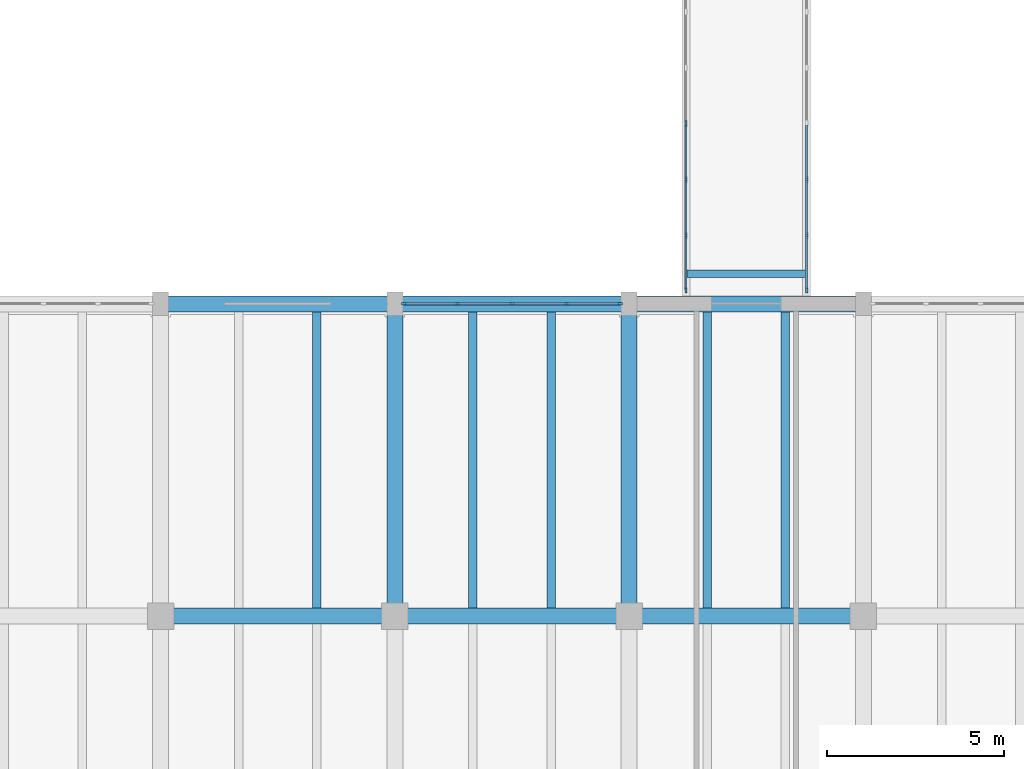
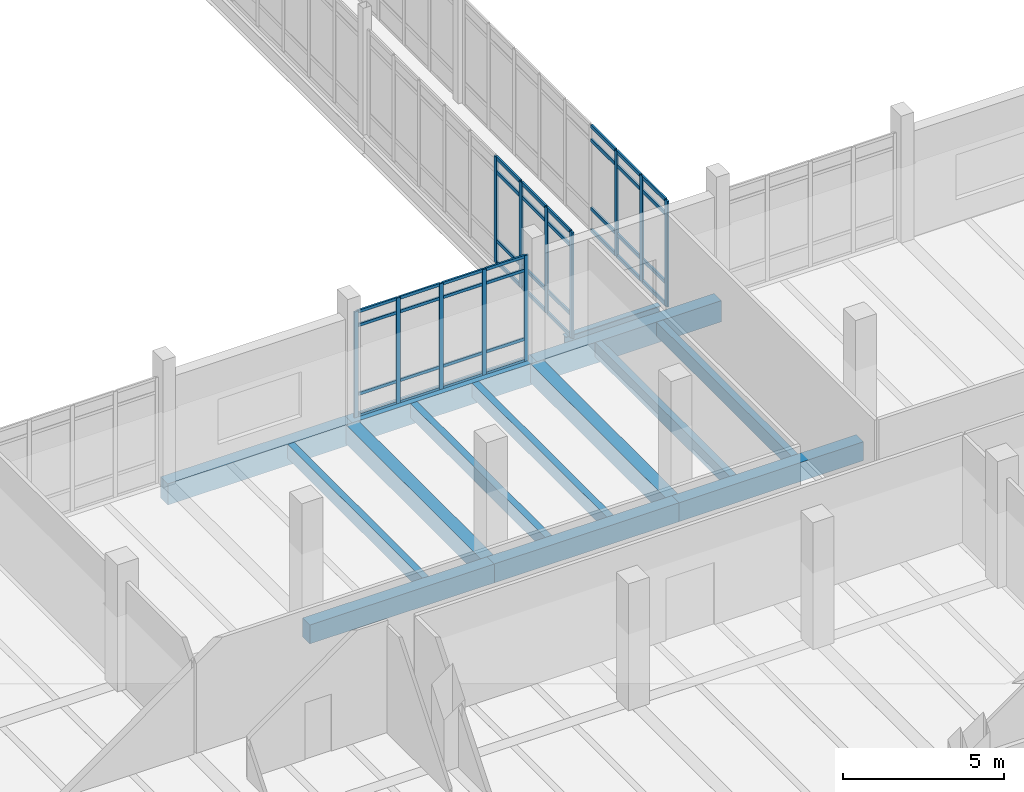
# One storey, part 48 of 125: 52 members, 14 beams, 3 elements without a shape of their own.
"""IFC4 building model written with IfcOpenShell, lengths in metres."""

from ifc_helpers import new_model, si_unit, direction, frame, origin, origin_2d, place, context, subcontext, project, spatial, rectangle, i_section, extrude, material, material_profile, profile_set, type_object, element, aggregate, save


model = new_model("IFC4")

# Units and contexts
model_context = context("Model", 3, precision=1e-05, world=origin(), true_north=direction((0.0, 1.0)))
body_context = subcontext(model_context, "Body", "Model", "MODEL_VIEW")
ifc_project = project(units=[si_unit("LENGTHUNIT", "METRE"), si_unit("AREAUNIT", "SQUARE_METRE"), si_unit("VOLUMEUNIT", "CUBIC_METRE"), si_unit("PLANEANGLEUNIT", "RADIAN"), si_unit("MASSUNIT", "GRAM", prefix="KILO")], contexts=[model_context])

# Site, building, storey
site_placement = place(None, origin())
site = spatial("IfcSite", under=ifc_project, at=site_placement, CompositionType="ELEMENT")
building_placement = place(site_placement, origin())
building = spatial("IfcBuilding", under=site, at=building_placement, Name="Dornvale Research Institute", CompositionType="ELEMENT")
storey_placement = place(building_placement, frame((0.0, 0.0, 5.39990234375)))
storey = spatial("IfcBuildingStorey", under=building, at=storey_placement, Name="L01", CompositionType="ELEMENT", Elevation=5.39990234375)

# Beams
ifc_material_1 = material(Name="Concrete f'c 45 MPa (C35/45)", Category="concrete")
ifc_material_profile_1 = material_profile(ifc_material_1, rectangle(XDim=0.449951171875, YDim=0.715087890625, at=origin_2d()), Name="RC 450x715")
ifc_profile_set_1 = profile_set([ifc_material_profile_1], Name="Concrete f'c 45 MPa (C35/45)")
beam_type_1 = type_object("IfcBeamType", Name="Beam_RC450x715_Lab", PredefinedType="BEAM", material=ifc_profile_set_1)
for number, where, z_axis, x_axis, name in (
    (1, (125.39990234375, 17.60009765625, -0.357421875), (1.0, 0.0, 0.0), (0.0, 1.0, 0.0), "L01 primary girder #445"),
    (2, (132.0, 17.60009765625, -0.357421875), (1.0, 0.0, 0.0), (0.0, 1.0, 0.0), "L01 primary girder #446"),
):
    element("IfcBeam", number, at=place(storey_placement, frame(where, z_axis=z_axis, x_axis=x_axis)), inside=storey, type_object=beam_type_1, Name=name, PredefinedType="BEAM", context=body_context, shape_type="SweptSolid", body=[
        extrude(rectangle(XDim=0.449951171875, YDim=0.715087890625, at=origin_2d()), origin(), (0.0, 0.0, 1.0), 6.60009765625),
    ])
beam_1_placement = place(storey_placement, frame((138.60009765625, 17.60009765625, -0.357421875), z_axis=(1.0, 0.0, 0.0), x_axis=(0.0, 1.0, 0.0)))
element("IfcBeam", 3, at=beam_1_placement, inside=storey, type_object=beam_type_1, Name="L01 primary girder #447", PredefinedType="BEAM", context=body_context, shape_type="SweptSolid", body=[
    extrude(rectangle(XDim=0.449951171875, YDim=0.715087890625, at=origin_2d()), origin(), (0.0, 0.0, 1.0), 6.599853515625),
])
for number, where, z_axis, x_axis, name in (
    (4, (132.0, 17.60009765625, -0.357421875), (0.0, 1.0, 0.0), (-1.0, 0.0, 0.0), "L01 transverse girder #481"),
    (5, (138.60009765625, 17.60009765625, -0.357421875), (0.0, 1.0, 0.0), (-1.0, 0.0, 0.0), "L01 transverse girder #484"),
):
    element("IfcBeam", number, at=place(storey_placement, frame(where, z_axis=z_axis, x_axis=x_axis)), inside=storey, type_object=beam_type_1, Name=name, PredefinedType="BEAM", context=body_context, shape_type="SweptSolid", body=[
        extrude(rectangle(XDim=0.449951171875, YDim=0.715087890625, at=origin_2d()), origin(), (0.0, 0.0, 1.0), 8.7998046875),
    ])
ifc_material_2 = material(Name="Steel ASTM A992 Grade 50", Category="steel")
ifc_material_profile_2 = material_profile(ifc_material_2, i_section(OverallWidth=0.2099609375, OverallDepth=0.535888671875, WebThickness=0.010986328125, FlangeThickness=0.017333984375, at=origin_2d()), Name="W21X68")
ifc_profile_set_2 = profile_set([ifc_material_profile_2], Name="Steel ASTM A992 Grade 50")
beam_type_2 = type_object("IfcBeamType", Name="Beam_Steel_W21X68", PredefinedType="BEAM", material=ifc_profile_set_2)
beam_2_placement = place(storey_placement, frame((140.199951171875, 27.25, -0.48779296875), z_axis=(1.0, 0.0, 0.0), x_axis=(0.0, 1.0, 0.0)))
element("IfcBeam", 6, at=beam_2_placement, inside=storey, type_object=beam_type_2, Name="L01 BR-7 south cross beam #2026", PredefinedType="BEAM", context=body_context, shape_type="SweptSolid", body=[
    extrude(i_section(OverallWidth=0.2099609375, OverallDepth=0.535888671875, WebThickness=0.010986328125, FlangeThickness=0.017333984375, at=origin_2d()), origin(), (0.0, 0.0, 1.0), 3.400146484375),
])
ifc_material_3 = material(Name="Concrete f'c 45 MPa (C35/45)", Category="concrete")
ifc_material_profile_3 = material_profile(ifc_material_3, rectangle(XDim=0.239990234375, YDim=0.534912109375, at=origin_2d()), Name="RC 240x535")
ifc_profile_set_3 = profile_set([ifc_material_profile_3], Name="Concrete f'c 45 MPa (C35/45)")
beam_type_3 = type_object("IfcBeamType", Name="Joist_RC240x535_Waffle", PredefinedType="JOIST", material=ifc_profile_set_3)
for number, where, z_axis, x_axis, name in (
    (7, (129.800048828125, 17.824951171875, -0.267333984375), (0.0, 1.0, 0.0), (-1.0, 0.0, 0.0), "L01 laboratory waffle joist #238"),
    (8, (134.199951171875, 17.824951171875, -0.267333984375), (0.0, 1.0, 0.0), (-1.0, 0.0, 0.0), "L01 laboratory waffle joist #243"),
    (9, (136.39990234375, 17.824951171875, -0.267333984375), (0.0, 1.0, 0.0), (-1.0, 0.0, 0.0), "L01 laboratory waffle joist #244"),
    (10, (140.800048828125, 17.824951171875, -0.267333984375), (0.0, 1.0, 0.0), (-1.0, 0.0, 0.0), "L01 laboratory waffle joist #249"),
    (11, (143.0, 17.824951171875, -0.267333984375), (0.0, 1.0, 0.0), (-1.0, 0.0, 0.0), "L01 laboratory waffle joist #250"),
):
    element("IfcBeam", number, at=place(storey_placement, frame(where, z_axis=z_axis, x_axis=x_axis)), inside=storey, type_object=beam_type_3, Name=name, PredefinedType="JOIST", context=body_context, shape_type="SweptSolid", body=[
        extrude(rectangle(XDim=0.239990234375, YDim=0.534912109375, at=origin_2d()), origin(), (0.0, 0.0, 1.0), 8.35009765625),
    ])

# Curtain wall, members
ifc_material_4 = material(Name="Low-E Argon Double Insulating Glazing Unit", Category="glass")
curtain_wall_type_1 = type_object("IfcCurtainWallType", Name="UnitisedCurtainWall_V2_12600x4000", PredefinedType="USERDEFINED", material=ifc_material_4)
curtain_wall_1_placement = place(storey_placement, origin())
curtain_wall_1 = element("IfcCurtainWall", 12, at=curtain_wall_1_placement, inside=storey, type_object=curtain_wall_type_1, Name="L01 V2 unitised curtain wall CW-41 #231", ObjectType="UNITISED CURTAIN WALL", PredefinedType="USERDEFINED")
ifc_material_5 = material(Name="Anodized Aluminum AA 6063-T6 Thermally Broken Frame", Category="aluminium")
ifc_material_profile_4 = material_profile(ifc_material_5, rectangle(XDim=0.06494140625, YDim=0.1650390625, at=origin_2d()), Name="ALU MULLION 65x165")
ifc_profile_set_4 = profile_set([ifc_material_profile_4], Name="Anodized Aluminum AA 6063-T6 Thermally Broken Frame")
member_type_1 = type_object("IfcMemberType", Name="Mullion_Atrium_65x165", PredefinedType="MULLION", material=ifc_profile_set_4)
member_1_placement = place(storey_placement, frame((140.199951171875, 26.782470703125, 0.0), z_axis=(0.0, 0.0, 1.0), x_axis=(-1.0, 0.0, 0.0)))
member_1 = element("IfcMember", 13, at=member_1_placement, type_object=member_type_1, Name="CW-41 mullion 1", PredefinedType="MULLION", context=body_context, shape_type="SweptSolid", body=[
    extrude(rectangle(XDim=0.06494140625, YDim=0.1650390625, at=origin_2d()), origin(), (0.0, 0.0, 1.0), 4.0),
])
member_2_placement = place(storey_placement, frame((140.199951171875, 28.324951171875, 0.0), z_axis=(0.0, 0.0, 1.0), x_axis=(-1.0, 0.0, 0.0)))
member_2 = element("IfcMember", 14, at=member_2_placement, type_object=member_type_1, Name="CW-41 mullion 2", PredefinedType="MULLION", context=body_context, shape_type="SweptSolid", body=[
    extrude(rectangle(XDim=0.06494140625, YDim=0.1650390625, at=origin_2d()), origin(), (0.0, 0.0, 1.0), 4.0),
])
member_3_placement = place(storey_placement, frame((140.199951171875, 29.89990234375, 0.0), z_axis=(0.0, 0.0, 1.0), x_axis=(-1.0, 0.0, 0.0)))
member_3 = element("IfcMember", 15, at=member_3_placement, type_object=member_type_1, Name="CW-41 mullion 3", PredefinedType="MULLION", context=body_context, shape_type="SweptSolid", body=[
    extrude(rectangle(XDim=0.06494140625, YDim=0.1650390625, at=origin_2d()), origin(), (0.0, 0.0, 1.0), 4.0),
])
member_4_placement = place(storey_placement, frame((140.199951171875, 31.47509765625, 0.0), z_axis=(0.0, 0.0, 1.0), x_axis=(-1.0, 0.0, 0.0)))
member_4 = element("IfcMember", 16, at=member_4_placement, type_object=member_type_1, Name="CW-41 mullion 4", PredefinedType="MULLION", context=body_context, shape_type="SweptSolid", body=[
    extrude(rectangle(XDim=0.06494140625, YDim=0.1650390625, at=origin_2d()), origin(), (0.0, 0.0, 1.0), 4.0),
])

curtain_wall_2_placement = place(storey_placement, origin())
curtain_wall_2 = element("IfcCurtainWall", 17, at=curtain_wall_2_placement, inside=storey, type_object=curtain_wall_type_1, Name="L01 V2 unitised curtain wall CW-41 #232", ObjectType="UNITISED CURTAIN WALL", PredefinedType="USERDEFINED")
member_5_placement = place(storey_placement, frame((143.60009765625, 29.89990234375, 0.0), z_axis=(0.0, 0.0, 1.0), x_axis=(1.0, 0.0, 0.0)))
member_5 = element("IfcMember", 18, at=member_5_placement, type_object=member_type_1, Name="CW-41 mullion 7", PredefinedType="MULLION", context=body_context, shape_type="SweptSolid", body=[
    extrude(rectangle(XDim=0.06494140625, YDim=0.1650390625, at=origin_2d()), origin(), (0.0, 0.0, 1.0), 4.0),
])
member_6_placement = place(storey_placement, frame((143.60009765625, 28.324951171875, 0.0), z_axis=(0.0, 0.0, 1.0), x_axis=(1.0, 0.0, 0.0)))
member_6 = element("IfcMember", 19, at=member_6_placement, type_object=member_type_1, Name="CW-41 mullion 8", PredefinedType="MULLION", context=body_context, shape_type="SweptSolid", body=[
    extrude(rectangle(XDim=0.06494140625, YDim=0.1650390625, at=origin_2d()), origin(), (0.0, 0.0, 1.0), 4.0),
])
member_7_placement = place(storey_placement, frame((143.60009765625, 26.782470703125, 0.0), z_axis=(0.0, 0.0, 1.0), x_axis=(1.0, 0.0, 0.0)))
member_7 = element("IfcMember", 20, at=member_7_placement, type_object=member_type_1, Name="CW-41 mullion 9", PredefinedType="MULLION", context=body_context, shape_type="SweptSolid", body=[
    extrude(rectangle(XDim=0.06494140625, YDim=0.1650390625, at=origin_2d()), origin(), (0.0, 0.0, 1.0), 4.0),
])

ifc_material_6 = material(Name="Low-E Argon Double Insulating Glazing Unit", Category="glass")
curtain_wall_type_2 = type_object("IfcCurtainWallType", Name="UnitisedCurtainWall_V3_6150x4000", PredefinedType="USERDEFINED", material=ifc_material_6)
curtain_wall_3_placement = place(storey_placement, origin())
curtain_wall_3 = element("IfcCurtainWall", 21, at=curtain_wall_3_placement, inside=storey, type_object=curtain_wall_type_2, Name="L01 V3 unitised curtain wall CW-06 #32", ObjectType="UNITISED CURTAIN WALL", PredefinedType="USERDEFINED")
ifc_material_7 = material(Name="Anodized Aluminum AA 6063-T6 Thermally Broken Frame", Category="aluminium")
ifc_material_profile_5 = material_profile(ifc_material_7, rectangle(XDim=0.06494140625, YDim=0.14990234375, at=origin_2d()), Name="ALU MULLION 65x150")
ifc_profile_set_5 = profile_set([ifc_material_profile_5], Name="Anodized Aluminum AA 6063-T6 Thermally Broken Frame")
member_type_2 = type_object("IfcMemberType", Name="Mullion_CW_65x150", PredefinedType="MULLION", material=ifc_profile_set_5)
member_8_placement = place(storey_placement, frame((132.257568359375, 26.39990234375, 0.0), z_axis=(0.0, 0.0, 1.0), x_axis=(0.0, 1.0, 0.0)))
member_8 = element("IfcMember", 22, at=member_8_placement, type_object=member_type_2, Name="CW-06 mullion 1", PredefinedType="MULLION", context=body_context, shape_type="SweptSolid", body=[
    extrude(rectangle(XDim=0.06494140625, YDim=0.14990234375, at=origin_2d()), origin(), (0.0, 0.0, 1.0), 4.0),
])
member_9_placement = place(storey_placement, frame((133.762451171875, 26.39990234375, 0.0), z_axis=(0.0, 0.0, 1.0), x_axis=(0.0, 1.0, 0.0)))
member_9 = element("IfcMember", 23, at=member_9_placement, type_object=member_type_2, Name="CW-06 mullion 2", PredefinedType="MULLION", context=body_context, shape_type="SweptSolid", body=[
    extrude(rectangle(XDim=0.06494140625, YDim=0.14990234375, at=origin_2d()), origin(), (0.0, 0.0, 1.0), 4.0),
])
member_10_placement = place(storey_placement, frame((135.300048828125, 26.39990234375, 0.0), z_axis=(0.0, 0.0, 1.0), x_axis=(0.0, 1.0, 0.0)))
member_10 = element("IfcMember", 24, at=member_10_placement, type_object=member_type_2, Name="CW-06 mullion 3", PredefinedType="MULLION", context=body_context, shape_type="SweptSolid", body=[
    extrude(rectangle(XDim=0.06494140625, YDim=0.14990234375, at=origin_2d()), origin(), (0.0, 0.0, 1.0), 4.0),
])
member_11_placement = place(storey_placement, frame((136.83740234375, 26.39990234375, 0.0), z_axis=(0.0, 0.0, 1.0), x_axis=(0.0, 1.0, 0.0)))
member_11 = element("IfcMember", 25, at=member_11_placement, type_object=member_type_2, Name="CW-06 mullion 4", PredefinedType="MULLION", context=body_context, shape_type="SweptSolid", body=[
    extrude(rectangle(XDim=0.06494140625, YDim=0.14990234375, at=origin_2d()), origin(), (0.0, 0.0, 1.0), 4.0),
])
member_12_placement = place(storey_placement, frame((138.342529296875, 26.39990234375, 0.0), z_axis=(0.0, 0.0, 1.0), x_axis=(0.0, 1.0, 0.0)))
member_12 = element("IfcMember", 26, at=member_12_placement, type_object=member_type_2, Name="CW-06 mullion 5", PredefinedType="MULLION", context=body_context, shape_type="SweptSolid", body=[
    extrude(rectangle(XDim=0.06494140625, YDim=0.14990234375, at=origin_2d()), origin(), (0.0, 0.0, 1.0), 4.0),
])

# Beams
ifc_material_8 = material(Name="Concrete f'c 45 MPa (C35/45)", Category="concrete")
ifc_material_profile_6 = material_profile(ifc_material_8, rectangle(XDim=0.449951171875, YDim=0.800048828125, at=origin_2d()), Name="RC 450x800")
ifc_profile_set_6 = profile_set([ifc_material_profile_6], Name="Concrete f'c 45 MPa (C35/45)")
beam_type_4 = type_object("IfcBeamType", Name="Spandrel_RC450x800_Ext", PredefinedType="SPANDREL", material=ifc_profile_set_6)
for number, where, z_axis, x_axis, name in (
    (27, (125.39990234375, 26.39990234375, -0.39990234375), (1.0, 0.0, 0.0), (0.0, 1.0, 0.0), "L01 perimeter spandrel #457"),
    (28, (132.0, 26.39990234375, -0.39990234375), (1.0, 0.0, 0.0), (0.0, 1.0, 0.0), "L01 perimeter spandrel #458"),
):
    element("IfcBeam", number, at=place(storey_placement, frame(where, z_axis=z_axis, x_axis=x_axis)), inside=storey, type_object=beam_type_4, Name=name, PredefinedType="SPANDREL", context=body_context, shape_type="SweptSolid", body=[
        extrude(rectangle(XDim=0.449951171875, YDim=0.800048828125, at=origin_2d()), origin(), (0.0, 0.0, 1.0), 6.60009765625),
    ])
beam_3_placement = place(storey_placement, frame((138.60009765625, 26.39990234375, -0.39990234375), z_axis=(1.0, 0.0, 0.0), x_axis=(0.0, 1.0, 0.0)))
element("IfcBeam", 29, at=beam_3_placement, inside=storey, type_object=beam_type_4, Name="L01 perimeter spandrel #459", PredefinedType="SPANDREL", context=body_context, shape_type="SweptSolid", body=[
    extrude(rectangle(XDim=0.449951171875, YDim=0.800048828125, at=origin_2d()), origin(), (0.0, 0.0, 1.0), 6.599853515625),
])

# Member
ifc_material_9 = material(Name="Anodized Aluminum AA 6063-T6 Thermally Broken Frame", Category="aluminium")
ifc_material_profile_7 = material_profile(ifc_material_9, rectangle(XDim=0.06494140625, YDim=0.110107421875, at=origin_2d()), Name="ALU TRANSOM 65x110")
ifc_profile_set_7 = profile_set([ifc_material_profile_7], Name="Anodized Aluminum AA 6063-T6 Thermally Broken Frame")
member_type_3 = type_object("IfcMemberType", Name="Transom_CW_65x110", PredefinedType="USERDEFINED", material=ifc_profile_set_7)
member_13_placement = place(storey_placement, frame((132.2900390625, 26.39990234375, 0.03271484375), z_axis=(1.0, 0.0, 0.0), x_axis=(0.0, 1.0, 0.0)))
member_13 = element("IfcMember", 30, at=member_13_placement, type_object=member_type_3, Name="CW-06 transom 1.1", ObjectType="TRANSOM", PredefinedType="USERDEFINED", context=body_context, shape_type="SweptSolid", body=[
    extrude(rectangle(XDim=0.06494140625, YDim=0.110107421875, at=origin_2d()), origin(), (0.0, 0.0, 1.0), 1.43994140625),
])

member_14_placement = place(storey_placement, frame((132.2900390625, 26.39990234375, 0.85009765625), z_axis=(1.0, 0.0, 0.0), x_axis=(0.0, 1.0, 0.0)))
member_14 = element("IfcMember", 31, at=member_14_placement, type_object=member_type_3, Name="CW-06 transom 1.2", ObjectType="TRANSOM", PredefinedType="USERDEFINED", context=body_context, shape_type="SweptSolid", body=[
    extrude(rectangle(XDim=0.06494140625, YDim=0.110107421875, at=origin_2d()), origin(), (0.0, 0.0, 1.0), 1.43994140625),
])

member_15_placement = place(storey_placement, frame((132.2900390625, 26.39990234375, 3.4501953125), z_axis=(1.0, 0.0, 0.0), x_axis=(0.0, 1.0, 0.0)))
member_15 = element("IfcMember", 32, at=member_15_placement, type_object=member_type_3, Name="CW-06 transom 1.3", ObjectType="TRANSOM", PredefinedType="USERDEFINED", context=body_context, shape_type="SweptSolid", body=[
    extrude(rectangle(XDim=0.06494140625, YDim=0.110107421875, at=origin_2d()), origin(), (0.0, 0.0, 1.0), 1.43994140625),
])

member_16_placement = place(storey_placement, frame((132.2900390625, 26.39990234375, 3.967529296875), z_axis=(1.0, 0.0, 0.0), x_axis=(0.0, 1.0, 0.0)))
member_16 = element("IfcMember", 33, at=member_16_placement, type_object=member_type_3, Name="CW-06 transom 1.4", ObjectType="TRANSOM", PredefinedType="USERDEFINED", context=body_context, shape_type="SweptSolid", body=[
    extrude(rectangle(XDim=0.06494140625, YDim=0.110107421875, at=origin_2d()), origin(), (0.0, 0.0, 1.0), 1.43994140625),
])

member_17_placement = place(storey_placement, frame((133.794921875, 26.39990234375, 0.03271484375), z_axis=(1.0, 0.0, 0.0), x_axis=(0.0, 1.0, 0.0)))
member_17 = element("IfcMember", 34, at=member_17_placement, type_object=member_type_3, Name="CW-06 transom 2.1", ObjectType="TRANSOM", PredefinedType="USERDEFINED", context=body_context, shape_type="SweptSolid", body=[
    extrude(rectangle(XDim=0.06494140625, YDim=0.110107421875, at=origin_2d()), origin(), (0.0, 0.0, 1.0), 1.47265625),
])

member_18_placement = place(storey_placement, frame((133.794921875, 26.39990234375, 0.85009765625), z_axis=(1.0, 0.0, 0.0), x_axis=(0.0, 1.0, 0.0)))
member_18 = element("IfcMember", 35, at=member_18_placement, type_object=member_type_3, Name="CW-06 transom 2.2", ObjectType="TRANSOM", PredefinedType="USERDEFINED", context=body_context, shape_type="SweptSolid", body=[
    extrude(rectangle(XDim=0.06494140625, YDim=0.110107421875, at=origin_2d()), origin(), (0.0, 0.0, 1.0), 1.47265625),
])

member_19_placement = place(storey_placement, frame((133.794921875, 26.39990234375, 3.4501953125), z_axis=(1.0, 0.0, 0.0), x_axis=(0.0, 1.0, 0.0)))
member_19 = element("IfcMember", 36, at=member_19_placement, type_object=member_type_3, Name="CW-06 transom 2.3", ObjectType="TRANSOM", PredefinedType="USERDEFINED", context=body_context, shape_type="SweptSolid", body=[
    extrude(rectangle(XDim=0.06494140625, YDim=0.110107421875, at=origin_2d()), origin(), (0.0, 0.0, 1.0), 1.47265625),
])

member_20_placement = place(storey_placement, frame((133.794921875, 26.39990234375, 3.967529296875), z_axis=(1.0, 0.0, 0.0), x_axis=(0.0, 1.0, 0.0)))
member_20 = element("IfcMember", 37, at=member_20_placement, type_object=member_type_3, Name="CW-06 transom 2.4", ObjectType="TRANSOM", PredefinedType="USERDEFINED", context=body_context, shape_type="SweptSolid", body=[
    extrude(rectangle(XDim=0.06494140625, YDim=0.110107421875, at=origin_2d()), origin(), (0.0, 0.0, 1.0), 1.47265625),
])

member_21_placement = place(storey_placement, frame((135.33251953125, 26.39990234375, 0.03271484375), z_axis=(1.0, 0.0, 0.0), x_axis=(0.0, 1.0, 0.0)))
member_21 = element("IfcMember", 38, at=member_21_placement, type_object=member_type_3, Name="CW-06 transom 3.1", ObjectType="TRANSOM", PredefinedType="USERDEFINED", context=body_context, shape_type="SweptSolid", body=[
    extrude(rectangle(XDim=0.06494140625, YDim=0.110107421875, at=origin_2d()), origin(), (0.0, 0.0, 1.0), 1.472412109375),
])

member_22_placement = place(storey_placement, frame((135.33251953125, 26.39990234375, 0.85009765625), z_axis=(1.0, 0.0, 0.0), x_axis=(0.0, 1.0, 0.0)))
member_22 = element("IfcMember", 39, at=member_22_placement, type_object=member_type_3, Name="CW-06 transom 3.2", ObjectType="TRANSOM", PredefinedType="USERDEFINED", context=body_context, shape_type="SweptSolid", body=[
    extrude(rectangle(XDim=0.06494140625, YDim=0.110107421875, at=origin_2d()), origin(), (0.0, 0.0, 1.0), 1.472412109375),
])

member_23_placement = place(storey_placement, frame((135.33251953125, 26.39990234375, 3.4501953125), z_axis=(1.0, 0.0, 0.0), x_axis=(0.0, 1.0, 0.0)))
member_23 = element("IfcMember", 40, at=member_23_placement, type_object=member_type_3, Name="CW-06 transom 3.3", ObjectType="TRANSOM", PredefinedType="USERDEFINED", context=body_context, shape_type="SweptSolid", body=[
    extrude(rectangle(XDim=0.06494140625, YDim=0.110107421875, at=origin_2d()), origin(), (0.0, 0.0, 1.0), 1.472412109375),
])

member_24_placement = place(storey_placement, frame((135.33251953125, 26.39990234375, 3.967529296875), z_axis=(1.0, 0.0, 0.0), x_axis=(0.0, 1.0, 0.0)))
member_24 = element("IfcMember", 41, at=member_24_placement, type_object=member_type_3, Name="CW-06 transom 3.4", ObjectType="TRANSOM", PredefinedType="USERDEFINED", context=body_context, shape_type="SweptSolid", body=[
    extrude(rectangle(XDim=0.06494140625, YDim=0.110107421875, at=origin_2d()), origin(), (0.0, 0.0, 1.0), 1.472412109375),
])

member_25_placement = place(storey_placement, frame((136.8701171875, 26.39990234375, 0.03271484375), z_axis=(1.0, 0.0, 0.0), x_axis=(0.0, 1.0, 0.0)))
member_25 = element("IfcMember", 42, at=member_25_placement, type_object=member_type_3, Name="CW-06 transom 4.1", ObjectType="TRANSOM", PredefinedType="USERDEFINED", context=body_context, shape_type="SweptSolid", body=[
    extrude(rectangle(XDim=0.06494140625, YDim=0.110107421875, at=origin_2d()), origin(), (0.0, 0.0, 1.0), 1.43994140625),
])

member_26_placement = place(storey_placement, frame((136.8701171875, 26.39990234375, 0.85009765625), z_axis=(1.0, 0.0, 0.0), x_axis=(0.0, 1.0, 0.0)))
member_26 = element("IfcMember", 43, at=member_26_placement, type_object=member_type_3, Name="CW-06 transom 4.2", ObjectType="TRANSOM", PredefinedType="USERDEFINED", context=body_context, shape_type="SweptSolid", body=[
    extrude(rectangle(XDim=0.06494140625, YDim=0.110107421875, at=origin_2d()), origin(), (0.0, 0.0, 1.0), 1.43994140625),
])

member_27_placement = place(storey_placement, frame((136.8701171875, 26.39990234375, 3.4501953125), z_axis=(1.0, 0.0, 0.0), x_axis=(0.0, 1.0, 0.0)))
member_27 = element("IfcMember", 44, at=member_27_placement, type_object=member_type_3, Name="CW-06 transom 4.3", ObjectType="TRANSOM", PredefinedType="USERDEFINED", context=body_context, shape_type="SweptSolid", body=[
    extrude(rectangle(XDim=0.06494140625, YDim=0.110107421875, at=origin_2d()), origin(), (0.0, 0.0, 1.0), 1.43994140625),
])

member_28_placement = place(storey_placement, frame((136.8701171875, 26.39990234375, 3.967529296875), z_axis=(1.0, 0.0, 0.0), x_axis=(0.0, 1.0, 0.0)))
member_28 = element("IfcMember", 45, at=member_28_placement, type_object=member_type_3, Name="CW-06 transom 4.4", ObjectType="TRANSOM", PredefinedType="USERDEFINED", context=body_context, shape_type="SweptSolid", body=[
    extrude(rectangle(XDim=0.06494140625, YDim=0.110107421875, at=origin_2d()), origin(), (0.0, 0.0, 1.0), 1.43994140625),
])

aggregate(curtain_wall_3, [member_8, member_9, member_10, member_11, member_12, member_13, member_14, member_15, member_16, member_17, member_18, member_19, member_20, member_21, member_22, member_23, member_24, member_25, member_26, member_27, member_28])

ifc_material_10 = material(Name="Anodized Aluminum AA 6063-T6 Thermally Broken Frame", Category="aluminium")
ifc_material_profile_8 = material_profile(ifc_material_10, rectangle(XDim=0.06494140625, YDim=0.135009765625, at=origin_2d()), Name="ALU TRANSOM 65x135")
ifc_profile_set_8 = profile_set([ifc_material_profile_8], Name="Anodized Aluminum AA 6063-T6 Thermally Broken Frame")
member_type_4 = type_object("IfcMemberType", Name="Transom_CW_65x135", PredefinedType="USERDEFINED", material=ifc_profile_set_8)
member_29_placement = place(storey_placement, frame((140.199951171875, 26.81494140625, 0.03271484375), z_axis=(0.0, 1.0, 0.0), x_axis=(-1.0, 0.0, 0.0)))
member_29 = element("IfcMember", 46, at=member_29_placement, type_object=member_type_4, Name="CW-41 transom 1.1", ObjectType="TRANSOM", PredefinedType="USERDEFINED", context=body_context, shape_type="SweptSolid", body=[
    extrude(rectangle(XDim=0.06494140625, YDim=0.135009765625, at=origin_2d()), origin(), (0.0, 0.0, 1.0), 1.4775390625),
])

member_30_placement = place(storey_placement, frame((140.199951171875, 26.81494140625, 0.85009765625), z_axis=(0.0, 1.0, 0.0), x_axis=(-1.0, 0.0, 0.0)))
member_30 = element("IfcMember", 47, at=member_30_placement, type_object=member_type_4, Name="CW-41 transom 1.2", ObjectType="TRANSOM", PredefinedType="USERDEFINED", context=body_context, shape_type="SweptSolid", body=[
    extrude(rectangle(XDim=0.06494140625, YDim=0.135009765625, at=origin_2d()), origin(), (0.0, 0.0, 1.0), 1.4775390625),
])

member_31_placement = place(storey_placement, frame((140.199951171875, 26.81494140625, 3.4501953125), z_axis=(0.0, 1.0, 0.0), x_axis=(-1.0, 0.0, 0.0)))
member_31 = element("IfcMember", 48, at=member_31_placement, type_object=member_type_4, Name="CW-41 transom 1.3", ObjectType="TRANSOM", PredefinedType="USERDEFINED", context=body_context, shape_type="SweptSolid", body=[
    extrude(rectangle(XDim=0.06494140625, YDim=0.135009765625, at=origin_2d()), origin(), (0.0, 0.0, 1.0), 1.4775390625),
])

member_32_placement = place(storey_placement, frame((140.199951171875, 26.81494140625, 3.967529296875), z_axis=(0.0, 1.0, 0.0), x_axis=(-1.0, 0.0, 0.0)))
member_32 = element("IfcMember", 49, at=member_32_placement, type_object=member_type_4, Name="CW-41 transom 1.4", ObjectType="TRANSOM", PredefinedType="USERDEFINED", context=body_context, shape_type="SweptSolid", body=[
    extrude(rectangle(XDim=0.06494140625, YDim=0.135009765625, at=origin_2d()), origin(), (0.0, 0.0, 1.0), 1.4775390625),
])

member_33_placement = place(storey_placement, frame((140.199951171875, 28.357421875, 0.03271484375), z_axis=(0.0, 1.0, 0.0), x_axis=(-1.0, 0.0, 0.0)))
member_33 = element("IfcMember", 50, at=member_33_placement, type_object=member_type_4, Name="CW-41 transom 2.1", ObjectType="TRANSOM", PredefinedType="USERDEFINED", context=body_context, shape_type="SweptSolid", body=[
    extrude(rectangle(XDim=0.06494140625, YDim=0.135009765625, at=origin_2d()), origin(), (0.0, 0.0, 1.0), 1.510009765625),
])

member_34_placement = place(storey_placement, frame((140.199951171875, 28.357421875, 0.85009765625), z_axis=(0.0, 1.0, 0.0), x_axis=(-1.0, 0.0, 0.0)))
member_34 = element("IfcMember", 51, at=member_34_placement, type_object=member_type_4, Name="CW-41 transom 2.2", ObjectType="TRANSOM", PredefinedType="USERDEFINED", context=body_context, shape_type="SweptSolid", body=[
    extrude(rectangle(XDim=0.06494140625, YDim=0.135009765625, at=origin_2d()), origin(), (0.0, 0.0, 1.0), 1.510009765625),
])

member_35_placement = place(storey_placement, frame((140.199951171875, 28.357421875, 3.4501953125), z_axis=(0.0, 1.0, 0.0), x_axis=(-1.0, 0.0, 0.0)))
member_35 = element("IfcMember", 52, at=member_35_placement, type_object=member_type_4, Name="CW-41 transom 2.3", ObjectType="TRANSOM", PredefinedType="USERDEFINED", context=body_context, shape_type="SweptSolid", body=[
    extrude(rectangle(XDim=0.06494140625, YDim=0.135009765625, at=origin_2d()), origin(), (0.0, 0.0, 1.0), 1.510009765625),
])

member_36_placement = place(storey_placement, frame((140.199951171875, 28.357421875, 3.967529296875), z_axis=(0.0, 1.0, 0.0), x_axis=(-1.0, 0.0, 0.0)))
member_36 = element("IfcMember", 53, at=member_36_placement, type_object=member_type_4, Name="CW-41 transom 2.4", ObjectType="TRANSOM", PredefinedType="USERDEFINED", context=body_context, shape_type="SweptSolid", body=[
    extrude(rectangle(XDim=0.06494140625, YDim=0.135009765625, at=origin_2d()), origin(), (0.0, 0.0, 1.0), 1.510009765625),
])

member_37_placement = place(storey_placement, frame((140.199951171875, 29.9326171875, 0.03271484375), z_axis=(0.0, 1.0, 0.0), x_axis=(-1.0, 0.0, 0.0)))
member_37 = element("IfcMember", 54, at=member_37_placement, type_object=member_type_4, Name="CW-41 transom 3.1", ObjectType="TRANSOM", PredefinedType="USERDEFINED", context=body_context, shape_type="SweptSolid", body=[
    extrude(rectangle(XDim=0.06494140625, YDim=0.135009765625, at=origin_2d()), origin(), (0.0, 0.0, 1.0), 1.509765625),
])

member_38_placement = place(storey_placement, frame((140.199951171875, 29.9326171875, 0.85009765625), z_axis=(0.0, 1.0, 0.0), x_axis=(-1.0, 0.0, 0.0)))
member_38 = element("IfcMember", 55, at=member_38_placement, type_object=member_type_4, Name="CW-41 transom 3.2", ObjectType="TRANSOM", PredefinedType="USERDEFINED", context=body_context, shape_type="SweptSolid", body=[
    extrude(rectangle(XDim=0.06494140625, YDim=0.135009765625, at=origin_2d()), origin(), (0.0, 0.0, 1.0), 1.509765625),
])

member_39_placement = place(storey_placement, frame((140.199951171875, 29.9326171875, 3.4501953125), z_axis=(0.0, 1.0, 0.0), x_axis=(-1.0, 0.0, 0.0)))
member_39 = element("IfcMember", 56, at=member_39_placement, type_object=member_type_4, Name="CW-41 transom 3.3", ObjectType="TRANSOM", PredefinedType="USERDEFINED", context=body_context, shape_type="SweptSolid", body=[
    extrude(rectangle(XDim=0.06494140625, YDim=0.135009765625, at=origin_2d()), origin(), (0.0, 0.0, 1.0), 1.509765625),
])

member_40_placement = place(storey_placement, frame((140.199951171875, 29.9326171875, 3.967529296875), z_axis=(0.0, 1.0, 0.0), x_axis=(-1.0, 0.0, 0.0)))
member_40 = element("IfcMember", 57, at=member_40_placement, type_object=member_type_4, Name="CW-41 transom 3.4", ObjectType="TRANSOM", PredefinedType="USERDEFINED", context=body_context, shape_type="SweptSolid", body=[
    extrude(rectangle(XDim=0.06494140625, YDim=0.135009765625, at=origin_2d()), origin(), (0.0, 0.0, 1.0), 1.509765625),
])

aggregate(curtain_wall_1, [member_1, member_2, member_3, member_4, member_29, member_30, member_31, member_32, member_33, member_34, member_35, member_36, member_37, member_38, member_39, member_40])

member_41_placement = place(storey_placement, frame((143.60009765625, 31.4423828125, 0.03271484375), z_axis=(0.0, -1.0, 0.0), x_axis=(1.0, 0.0, 0.0)))
member_41 = element("IfcMember", 58, at=member_41_placement, type_object=member_type_4, Name="CW-41 transom 6.1", ObjectType="TRANSOM", PredefinedType="USERDEFINED", context=body_context, shape_type="SweptSolid", body=[
    extrude(rectangle(XDim=0.06494140625, YDim=0.135009765625, at=origin_2d()), origin(), (0.0, 0.0, 1.0), 1.509765625),
])

member_42_placement = place(storey_placement, frame((143.60009765625, 31.4423828125, 0.85009765625), z_axis=(0.0, -1.0, 0.0), x_axis=(1.0, 0.0, 0.0)))
member_42 = element("IfcMember", 59, at=member_42_placement, type_object=member_type_4, Name="CW-41 transom 6.2", ObjectType="TRANSOM", PredefinedType="USERDEFINED", context=body_context, shape_type="SweptSolid", body=[
    extrude(rectangle(XDim=0.06494140625, YDim=0.135009765625, at=origin_2d()), origin(), (0.0, 0.0, 1.0), 1.509765625),
])

member_43_placement = place(storey_placement, frame((143.60009765625, 31.4423828125, 3.4501953125), z_axis=(0.0, -1.0, 0.0), x_axis=(1.0, 0.0, 0.0)))
member_43 = element("IfcMember", 60, at=member_43_placement, type_object=member_type_4, Name="CW-41 transom 6.3", ObjectType="TRANSOM", PredefinedType="USERDEFINED", context=body_context, shape_type="SweptSolid", body=[
    extrude(rectangle(XDim=0.06494140625, YDim=0.135009765625, at=origin_2d()), origin(), (0.0, 0.0, 1.0), 1.509765625),
])

member_44_placement = place(storey_placement, frame((143.60009765625, 31.4423828125, 3.967529296875), z_axis=(0.0, -1.0, 0.0), x_axis=(1.0, 0.0, 0.0)))
member_44 = element("IfcMember", 61, at=member_44_placement, type_object=member_type_4, Name="CW-41 transom 6.4", ObjectType="TRANSOM", PredefinedType="USERDEFINED", context=body_context, shape_type="SweptSolid", body=[
    extrude(rectangle(XDim=0.06494140625, YDim=0.135009765625, at=origin_2d()), origin(), (0.0, 0.0, 1.0), 1.509765625),
])

member_45_placement = place(storey_placement, frame((143.60009765625, 29.867431640625, 0.03271484375), z_axis=(0.0, -1.0, 0.0), x_axis=(1.0, 0.0, 0.0)))
member_45 = element("IfcMember", 62, at=member_45_placement, type_object=member_type_4, Name="CW-41 transom 7.1", ObjectType="TRANSOM", PredefinedType="USERDEFINED", context=body_context, shape_type="SweptSolid", body=[
    extrude(rectangle(XDim=0.06494140625, YDim=0.135009765625, at=origin_2d()), origin(), (0.0, 0.0, 1.0), 1.510009765625),
])

member_46_placement = place(storey_placement, frame((143.60009765625, 29.867431640625, 0.85009765625), z_axis=(0.0, -1.0, 0.0), x_axis=(1.0, 0.0, 0.0)))
member_46 = element("IfcMember", 63, at=member_46_placement, type_object=member_type_4, Name="CW-41 transom 7.2", ObjectType="TRANSOM", PredefinedType="USERDEFINED", context=body_context, shape_type="SweptSolid", body=[
    extrude(rectangle(XDim=0.06494140625, YDim=0.135009765625, at=origin_2d()), origin(), (0.0, 0.0, 1.0), 1.510009765625),
])

member_47_placement = place(storey_placement, frame((143.60009765625, 29.867431640625, 3.4501953125), z_axis=(0.0, -1.0, 0.0), x_axis=(1.0, 0.0, 0.0)))
member_47 = element("IfcMember", 64, at=member_47_placement, type_object=member_type_4, Name="CW-41 transom 7.3", ObjectType="TRANSOM", PredefinedType="USERDEFINED", context=body_context, shape_type="SweptSolid", body=[
    extrude(rectangle(XDim=0.06494140625, YDim=0.135009765625, at=origin_2d()), origin(), (0.0, 0.0, 1.0), 1.510009765625),
])

member_48_placement = place(storey_placement, frame((143.60009765625, 29.867431640625, 3.967529296875), z_axis=(0.0, -1.0, 0.0), x_axis=(1.0, 0.0, 0.0)))
member_48 = element("IfcMember", 65, at=member_48_placement, type_object=member_type_4, Name="CW-41 transom 7.4", ObjectType="TRANSOM", PredefinedType="USERDEFINED", context=body_context, shape_type="SweptSolid", body=[
    extrude(rectangle(XDim=0.06494140625, YDim=0.135009765625, at=origin_2d()), origin(), (0.0, 0.0, 1.0), 1.510009765625),
])

member_49_placement = place(storey_placement, frame((143.60009765625, 28.29248046875, 0.03271484375), z_axis=(0.0, -1.0, 0.0), x_axis=(1.0, 0.0, 0.0)))
member_49 = element("IfcMember", 66, at=member_49_placement, type_object=member_type_4, Name="CW-41 transom 8.1", ObjectType="TRANSOM", PredefinedType="USERDEFINED", context=body_context, shape_type="SweptSolid", body=[
    extrude(rectangle(XDim=0.06494140625, YDim=0.135009765625, at=origin_2d()), origin(), (0.0, 0.0, 1.0), 1.4775390625),
])

member_50_placement = place(storey_placement, frame((143.60009765625, 28.29248046875, 0.85009765625), z_axis=(0.0, -1.0, 0.0), x_axis=(1.0, 0.0, 0.0)))
member_50 = element("IfcMember", 67, at=member_50_placement, type_object=member_type_4, Name="CW-41 transom 8.2", ObjectType="TRANSOM", PredefinedType="USERDEFINED", context=body_context, shape_type="SweptSolid", body=[
    extrude(rectangle(XDim=0.06494140625, YDim=0.135009765625, at=origin_2d()), origin(), (0.0, 0.0, 1.0), 1.4775390625),
])

member_51_placement = place(storey_placement, frame((143.60009765625, 28.29248046875, 3.4501953125), z_axis=(0.0, -1.0, 0.0), x_axis=(1.0, 0.0, 0.0)))
member_51 = element("IfcMember", 68, at=member_51_placement, type_object=member_type_4, Name="CW-41 transom 8.3", ObjectType="TRANSOM", PredefinedType="USERDEFINED", context=body_context, shape_type="SweptSolid", body=[
    extrude(rectangle(XDim=0.06494140625, YDim=0.135009765625, at=origin_2d()), origin(), (0.0, 0.0, 1.0), 1.4775390625),
])

member_52_placement = place(storey_placement, frame((143.60009765625, 28.29248046875, 3.967529296875), z_axis=(0.0, -1.0, 0.0), x_axis=(1.0, 0.0, 0.0)))
member_52 = element("IfcMember", 69, at=member_52_placement, type_object=member_type_4, Name="CW-41 transom 8.4", ObjectType="TRANSOM", PredefinedType="USERDEFINED", context=body_context, shape_type="SweptSolid", body=[
    extrude(rectangle(XDim=0.06494140625, YDim=0.135009765625, at=origin_2d()), origin(), (0.0, 0.0, 1.0), 1.4775390625),
])

aggregate(curtain_wall_2, [member_5, member_6, member_7, member_41, member_42, member_43, member_44, member_45, member_46, member_47, member_48, member_49, member_50, member_51, member_52])

save(model, "model.ifc")
